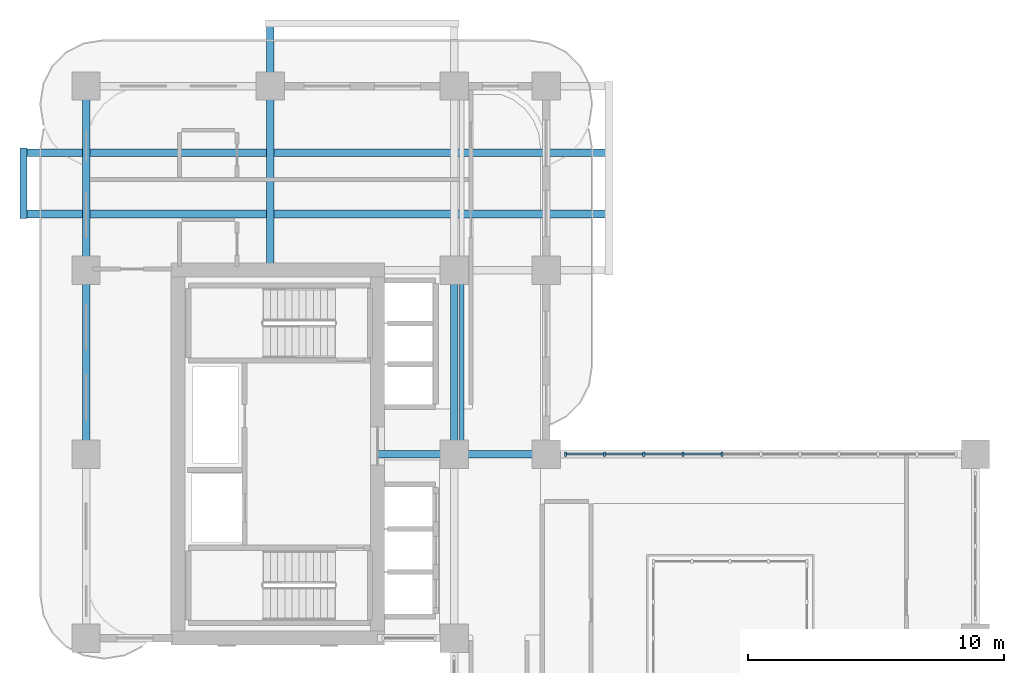
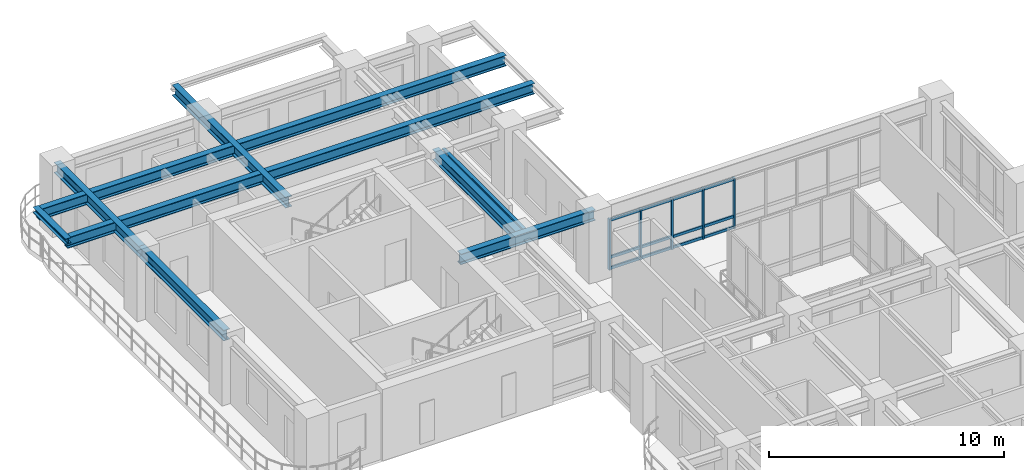
# One storey, part 6 of 22: 17 members, 9 beams, 1 element without a shape of its own.
"""IFC4 building model written with IfcOpenShell, lengths in metres."""

from ifc_helpers import new_model, si_unit, derived_unit, direction, frame, origin, origin_2d, place, context, subcontext, project, spatial, rectangle, i_section, extrude, source, transform, mapped, material, layer, layer_set, material_profile, profile_set, type_object, type_shapes, element, aggregate, save


model = new_model("IFC4")

# Units and contexts
model_context = context("Model", 3, precision=1e-05, world=origin(), true_north=direction((0.0, 1.0)))
body_context = subcontext(model_context, "Body", "Model", "MODEL_VIEW")
ifc_project = project(units=[si_unit("LENGTHUNIT", "METRE"), si_unit("AREAUNIT", "SQUARE_METRE"), si_unit("VOLUMEUNIT", "CUBIC_METRE"), si_unit("PLANEANGLEUNIT", "RADIAN"), si_unit("MASSUNIT", "GRAM", prefix="KILO"), si_unit("THERMODYNAMICTEMPERATUREUNIT", "KELVIN"), si_unit("POWERUNIT", "WATT"), derived_unit("THERMALTRANSMITTANCEUNIT", [(si_unit("POWERUNIT", "WATT"), 1), (si_unit("AREAUNIT", "SQUARE_METRE"), -1), (si_unit("THERMODYNAMICTEMPERATUREUNIT", "KELVIN"), -1)])], contexts=[model_context])

# Site, building, storey
site_placement = place(None, origin())
site = spatial("IfcSite", under=ifc_project, at=site_placement, CompositionType="ELEMENT")
building_placement = place(site_placement, origin())
building = spatial("IfcBuilding", under=site, at=building_placement, Name="Zahravan Archway Hotel and Residences", CompositionType="ELEMENT")
storey_placement = place(building_placement, frame((0.0, 0.0, 87.89990234375)))
storey = spatial("IfcBuildingStorey", under=building, at=storey_placement, Name="L21", CompositionType="ELEMENT", Elevation=87.89990234375)

# Beams
ifc_material_1 = material(Name="Structural Steel S355JR", Category="steel")
ifc_material_profile_1 = material_profile(ifc_material_1, i_section(OverallWidth=0.280029296875, OverallDepth=0.280029296875, WebThickness=0.010498046875, FlangeThickness=0.01806640625, FilletRadius=0.02392578125, at=origin_2d()), Name="HEB 280", Category="steel")
ifc_profile_set_1 = profile_set([ifc_material_profile_1], Name="Structural Steel S355JR")
beam_type_1 = type_object("IfcBeamType", Name="BM-SPN-HEB280", PredefinedType="SPANDREL", material=ifc_profile_set_1)
shared_shape_1 = source(origin(), body_context, "Body", "SweptSolid", [
    extrude(i_section(OverallWidth=0.280029296875, OverallDepth=0.280029296875, WebThickness=0.010498046875, FlangeThickness=0.01806640625, FilletRadius=0.02392578125, at=origin_2d()), origin(), (0.0, 0.0, 1.0), 2.759765625),
])
beam_1_placement = place(storey_placement, frame((-2.449951171875, 41.6201171875, 3.31005859375), z_axis=(0.0, 1.0, 0.0), x_axis=(-1.0, 0.0, 0.0)))
element("IfcBeam", 1, at=beam_1_placement, inside=storey, type_object=beam_type_1, Name="L22 WB Balcony Edge Spandrel", PredefinedType="SPANDREL", context=body_context, shape_type="MappedRepresentation", body=[
    mapped(shared_shape_1, transform((0.0, 0.0, 0.0), scale=1.0)),
])
ifc_material_profile_2 = material_profile(ifc_material_1, i_section(OverallWidth=0.300048828125, OverallDepth=0.550048828125, WebThickness=0.014892578125, FlangeThickness=0.029052734375, FilletRadius=0.027099609375, at=origin_2d()), Name="HEB 550", Category="steel")
ifc_profile_set_2 = profile_set([ifc_material_profile_2], Name="Structural Steel S355JR")
beam_type_2 = type_object("IfcBeamType", Name="BM-PRI-HEB550", PredefinedType="BEAM", material=ifc_profile_set_2)
shared_shape_2 = source(origin(), body_context, "Body", "SweptSolid", [
    extrude(i_section(OverallWidth=0.300048828125, OverallDepth=0.550048828125, WebThickness=0.014892578125, FlangeThickness=0.029052734375, FilletRadius=0.027099609375, at=origin_2d()), origin(), (0.0, 0.0, 1.0), 7.2001953125),
])
type_shapes(beam_type_2, [shared_shape_2])
for number, where, z_axis, x_axis, name in (
    (2, (0.0, 32.39990234375, 3.175048828125), (0.0, 1.0, 0.0), (-1.0, 0.0, 0.0), "L21 Primary Girder NS-29"),
    (3, (14.39990234375, 32.39990234375, 3.175048828125), (0.0, 1.0, 0.0), (-1.0, 0.0, 0.0), "L21 Primary Girder NS-37"),
):
    element("IfcBeam", number, at=place(storey_placement, frame(where, z_axis=z_axis, x_axis=x_axis)), inside=storey, type_object=beam_type_2, Name=name, PredefinedType="BEAM", context=body_context, shape_type="MappedRepresentation", body=[
        mapped(shared_shape_2, transform((0.0, 0.0, 0.0), scale=1.0)),
    ])
shared_shape_3 = source(origin(), body_context, "Body", "SweptSolid", [
    extrude(i_section(OverallWidth=0.300048828125, OverallDepth=0.550048828125, WebThickness=0.014892578125, FlangeThickness=0.029052734375, FilletRadius=0.027099609375, at=origin_2d()), origin(), (0.0, 0.0, 1.0), 7.199951171875),
])
beam_2_placement = place(storey_placement, frame((0.0, 39.60009765625, 3.175048828125), z_axis=(0.0, 1.0, 0.0), x_axis=(-1.0, 0.0, 0.0)))
element("IfcBeam", 4, at=beam_2_placement, inside=storey, type_object=beam_type_2, Name="L21 Primary Girder NS-30", PredefinedType="BEAM", context=body_context, shape_type="MappedRepresentation", body=[
    mapped(shared_shape_3, transform((0.0, 0.0, 0.0), scale=1.0)),
])
shared_shape_4 = source(origin(), body_context, "Body", "SweptSolid", [
    extrude(i_section(OverallWidth=0.300048828125, OverallDepth=0.550048828125, WebThickness=0.014892578125, FlangeThickness=0.029052734375, FilletRadius=0.027099609375, at=origin_2d()), origin(), (0.0, 0.0, 1.0), 6.60009765625),
])
beam_3_placement = place(storey_placement, frame((11.39990234375, 32.39990234375, 3.175048828125), z_axis=(1.0, 0.0, 0.0), x_axis=(0.0, 1.0, 0.0)))
element("IfcBeam", 5, at=beam_3_placement, inside=storey, type_object=beam_type_2, Name="L21 Primary Girder EW-21", PredefinedType="BEAM", context=body_context, shape_type="MappedRepresentation", body=[
    mapped(shared_shape_4, transform((0.0, 0.0, 0.0), scale=1.0)),
])
shared_shape_5 = source(origin(), body_context, "Body", "SweptSolid", [
    extrude(i_section(OverallWidth=0.300048828125, OverallDepth=0.550048828125, WebThickness=0.014892578125, FlangeThickness=0.029052734375, FilletRadius=0.027099609375, at=origin_2d()), origin(), (0.0, 0.0, 1.0), 22.89990234375),
])
for number, where, z_axis, x_axis, name in (
    (6, (-2.449951171875, 41.800048828125, 3.175048828125), (1.0, 0.0, 0.0), (0.0, 1.0, 0.0), "L21 Primary Girder EW-26"),
    (7, (-2.449951171875, 44.199951171875, 3.175048828125), (1.0, 0.0, 0.0), (0.0, 1.0, 0.0), "L21 Primary Girder EW-27"),
):
    element("IfcBeam", number, at=place(storey_placement, frame(where, z_axis=z_axis, x_axis=x_axis)), inside=storey, type_object=beam_type_2, Name=name, PredefinedType="BEAM", context=body_context, shape_type="MappedRepresentation", body=[
        mapped(shared_shape_5, transform((0.0, 0.0, 0.0), scale=1.0)),
    ])
shared_shape_6 = source(origin(), body_context, "Body", "SweptSolid", [
    extrude(i_section(OverallWidth=0.300048828125, OverallDepth=0.550048828125, WebThickness=0.014892578125, FlangeThickness=0.029052734375, FilletRadius=0.027099609375, at=origin_2d()), origin(), (0.0, 0.0, 1.0), 9.64990234375),
])
beam_4_placement = place(storey_placement, frame((7.199951171875, 39.60009765625, 3.175048828125), z_axis=(0.0, 1.0, 0.0), x_axis=(-1.0, 0.0, 0.0)))
element("IfcBeam", 8, at=beam_4_placement, inside=storey, type_object=beam_type_2, Name="L21 Primary Girder NS-31", PredefinedType="BEAM", context=body_context, shape_type="MappedRepresentation", body=[
    mapped(shared_shape_6, transform((0.0, 0.0, 0.0), scale=1.0)),
])
ifc_material_profile_3 = material_profile(ifc_material_1, i_section(OverallWidth=0.169921875, OverallDepth=0.360107421875, WebThickness=0.008056640625, FlangeThickness=0.0126953125, FilletRadius=0.01806640625, at=origin_2d()), Name="IPE 360", Category="steel")
ifc_profile_set_3 = profile_set([ifc_material_profile_3], Name="Structural Steel S355JR")
beam_type_3 = type_object("IfcBeamType", Name="BM-JST-IPE360", PredefinedType="JOIST", material=ifc_profile_set_3)
shared_shape_7 = source(origin(), body_context, "Body", "SweptSolid", [
    extrude(i_section(OverallWidth=0.169921875, OverallDepth=0.360107421875, WebThickness=0.008056640625, FlangeThickness=0.0126953125, FilletRadius=0.01806640625, at=origin_2d()), origin(), (0.0, 0.0, 1.0), 6.90380859375),
])
beam_5_placement = place(storey_placement, frame((14.699951171875, 32.548095703125, 3.27001953125), z_axis=(0.0, 1.0, 0.0), x_axis=(-1.0, 0.0, 0.0)))
element("IfcBeam", 9, at=beam_5_placement, inside=storey, type_object=beam_type_3, Name="L21 Composite Floor Joist 13", PredefinedType="JOIST", context=body_context, shape_type="MappedRepresentation", body=[
    mapped(shared_shape_7, transform((0.0, 0.0, 0.0), scale=1.0)),
])

# Curtain wall, members
ifc_material_2 = material(Name="Bronze-Anodized Unitised Aluminium & Low-E Glass", Category="aluminium")
ifc_layer = layer(ifc_material_2, 0.179931640625, Name="Bronze-Anodized Unitised Aluminium & Low-E Glass", Category="aluminium")
ifc_layer_set = layer_set([ifc_layer], Name="Bronze-Anodized Unitised Aluminium & Low-E Glass")
curtain_wall_type = type_object("IfcCurtainWallType", Name="CW-ATR-GLAZ", PredefinedType="NOTDEFINED", material=ifc_layer_set)
curtain_wall_placement = place(storey_placement, origin())
curtain_wall = element("IfcCurtainWall", 10, at=curtain_wall_placement, inside=storey, type_object=curtain_wall_type, Name="L21 Curtain Wall CW-L21-HNG-N-1", PredefinedType="NOTDEFINED")
ifc_material_3 = material(Name="Bronze-Anodized Extruded Aluminium", Category="aluminium")
ifc_material_profile_4 = material_profile(ifc_material_3, rectangle(XDim=0.080078125, YDim=0.159912109375, at=origin_2d()), Name="MUL 80x160", Category="aluminium")
ifc_profile_set_4 = profile_set([ifc_material_profile_4], Name="Bronze-Anodized Extruded Aluminium")
member_type_1 = type_object("IfcMemberType", Name="CWM-MUL-160", PredefinedType="MULLION", material=ifc_profile_set_4)
shared_shape_8 = source(origin(), body_context, "Body", "SweptSolid", [
    extrude(rectangle(XDim=0.080078125, YDim=0.159912109375, at=origin_2d()), origin(), (0.0, 0.0, 1.0), 2.635009765625),
])
member_1_placement = place(storey_placement, frame((18.760009765625, 32.39990234375, 0.0), z_axis=(0.0, 0.0, 1.0), x_axis=(1.0, 0.0, 0.0)))
member_1 = element("IfcMember", 11, at=member_1_placement, type_object=member_type_1, Name="CW-L21-HNG-N-1 Mullion 0", PredefinedType="MULLION", context=body_context, shape_type="MappedRepresentation", body=[
    mapped(shared_shape_8, transform((0.0, 0.0, 0.0), scale=1.0)),
])
member_2_placement = place(storey_placement, frame((20.2880859375, 32.39990234375, 0.0), z_axis=(0.0, 0.0, 1.0), x_axis=(1.0, 0.0, 0.0)))
member_2 = element("IfcMember", 12, at=member_2_placement, type_object=member_type_1, Name="CW-L21-HNG-N-1 Mullion 1", PredefinedType="MULLION", context=body_context, shape_type="MappedRepresentation", body=[
    mapped(shared_shape_8, transform((0.0, 0.0, 0.0), scale=1.0)),
])
member_3_placement = place(storey_placement, frame((21.81591796875, 32.39990234375, 0.0), z_axis=(0.0, 0.0, 1.0), x_axis=(1.0, 0.0, 0.0)))
member_3 = element("IfcMember", 13, at=member_3_placement, type_object=member_type_1, Name="CW-L21-HNG-N-1 Mullion 2", PredefinedType="MULLION", context=body_context, shape_type="MappedRepresentation", body=[
    mapped(shared_shape_8, transform((0.0, 0.0, 0.0), scale=1.0)),
])
member_4_placement = place(storey_placement, frame((23.343994140625, 32.39990234375, 0.0), z_axis=(0.0, 0.0, 1.0), x_axis=(1.0, 0.0, 0.0)))
member_4 = element("IfcMember", 14, at=member_4_placement, type_object=member_type_1, Name="CW-L21-HNG-N-1 Mullion 3", PredefinedType="MULLION", context=body_context, shape_type="MappedRepresentation", body=[
    mapped(shared_shape_8, transform((0.0, 0.0, 0.0), scale=1.0)),
])
member_5_placement = place(storey_placement, frame((24.8720703125, 32.39990234375, 0.0), z_axis=(0.0, 0.0, 1.0), x_axis=(1.0, 0.0, 0.0)))
member_5 = element("IfcMember", 15, at=member_5_placement, type_object=member_type_1, Name="CW-L21-HNG-N-1 Mullion 4", PredefinedType="MULLION", context=body_context, shape_type="MappedRepresentation", body=[
    mapped(shared_shape_8, transform((0.0, 0.0, 0.0), scale=1.0)),
])
ifc_material_profile_5 = material_profile(ifc_material_3, rectangle(XDim=0.080078125, YDim=0.139892578125, at=origin_2d()), Name="TRN 80x140", Category="aluminium")
ifc_profile_set_5 = profile_set([ifc_material_profile_5], Name="Bronze-Anodized Extruded Aluminium")
member_type_2 = type_object("IfcMemberType", Name="CWM-TRN-140", PredefinedType="USERDEFINED", material=ifc_profile_set_5)
shared_shape_9 = source(origin(), body_context, "Body", "SweptSolid", [
    extrude(rectangle(XDim=0.080078125, YDim=0.139892578125, at=origin_2d()), origin(), (0.0, 0.0, 1.0), 1.447998046875),
])
member_6_placement = place(storey_placement, frame((18.800048828125, 32.39990234375, 0.070068359375), z_axis=(1.0, 0.0, 0.0), x_axis=(0.0, 1.0, 0.0)))
member_6 = element("IfcMember", 16, at=member_6_placement, type_object=member_type_2, Name="CW-L21-HNG-N-1 Transom 0-1", ObjectType="TRANSOM", PredefinedType="USERDEFINED", context=body_context, shape_type="MappedRepresentation", body=[
    mapped(shared_shape_9, transform((0.0, 0.0, 0.0), scale=1.0)),
])
member_7_placement = place(storey_placement, frame((18.800048828125, 32.39990234375, 0.632568359375), z_axis=(1.0, 0.0, 0.0), x_axis=(0.0, 1.0, 0.0)))
member_7 = element("IfcMember", 17, at=member_7_placement, type_object=member_type_2, Name="CW-L21-HNG-N-1 Transom 0-2", ObjectType="TRANSOM", PredefinedType="USERDEFINED", context=body_context, shape_type="MappedRepresentation", body=[
    mapped(shared_shape_9, transform((0.0, 0.0, 0.0), scale=1.0)),
])
member_8_placement = place(storey_placement, frame((18.800048828125, 32.39990234375, 2.565185546875), z_axis=(1.0, 0.0, 0.0), x_axis=(0.0, 1.0, 0.0)))
member_8 = element("IfcMember", 18, at=member_8_placement, type_object=member_type_2, Name="CW-L21-HNG-N-1 Transom 0-3", ObjectType="TRANSOM", PredefinedType="USERDEFINED", context=body_context, shape_type="MappedRepresentation", body=[
    mapped(shared_shape_9, transform((0.0, 0.0, 0.0), scale=1.0)),
])
member_9_placement = place(storey_placement, frame((20.327880859375, 32.39990234375, 0.070068359375), z_axis=(1.0, 0.0, 0.0), x_axis=(0.0, 1.0, 0.0)))
member_9 = element("IfcMember", 19, at=member_9_placement, type_object=member_type_2, Name="CW-L21-HNG-N-1 Transom 1-1", ObjectType="TRANSOM", PredefinedType="USERDEFINED", context=body_context, shape_type="MappedRepresentation", body=[
    mapped(shared_shape_9, transform((0.0, 0.0, 0.0), scale=1.0)),
])
member_10_placement = place(storey_placement, frame((20.327880859375, 32.39990234375, 0.632568359375), z_axis=(1.0, 0.0, 0.0), x_axis=(0.0, 1.0, 0.0)))
member_10 = element("IfcMember", 20, at=member_10_placement, type_object=member_type_2, Name="CW-L21-HNG-N-1 Transom 1-2", ObjectType="TRANSOM", PredefinedType="USERDEFINED", context=body_context, shape_type="MappedRepresentation", body=[
    mapped(shared_shape_9, transform((0.0, 0.0, 0.0), scale=1.0)),
])
member_11_placement = place(storey_placement, frame((20.327880859375, 32.39990234375, 2.565185546875), z_axis=(1.0, 0.0, 0.0), x_axis=(0.0, 1.0, 0.0)))
member_11 = element("IfcMember", 21, at=member_11_placement, type_object=member_type_2, Name="CW-L21-HNG-N-1 Transom 1-3", ObjectType="TRANSOM", PredefinedType="USERDEFINED", context=body_context, shape_type="MappedRepresentation", body=[
    mapped(shared_shape_9, transform((0.0, 0.0, 0.0), scale=1.0)),
])
member_12_placement = place(storey_placement, frame((21.85595703125, 32.39990234375, 0.070068359375), z_axis=(1.0, 0.0, 0.0), x_axis=(0.0, 1.0, 0.0)))
member_12 = element("IfcMember", 22, at=member_12_placement, type_object=member_type_2, Name="CW-L21-HNG-N-1 Transom 2-1", ObjectType="TRANSOM", PredefinedType="USERDEFINED", context=body_context, shape_type="MappedRepresentation", body=[
    mapped(shared_shape_9, transform((0.0, 0.0, 0.0), scale=1.0)),
])
member_13_placement = place(storey_placement, frame((21.85595703125, 32.39990234375, 0.632568359375), z_axis=(1.0, 0.0, 0.0), x_axis=(0.0, 1.0, 0.0)))
member_13 = element("IfcMember", 23, at=member_13_placement, type_object=member_type_2, Name="CW-L21-HNG-N-1 Transom 2-2", ObjectType="TRANSOM", PredefinedType="USERDEFINED", context=body_context, shape_type="MappedRepresentation", body=[
    mapped(shared_shape_9, transform((0.0, 0.0, 0.0), scale=1.0)),
])
member_14_placement = place(storey_placement, frame((21.85595703125, 32.39990234375, 2.565185546875), z_axis=(1.0, 0.0, 0.0), x_axis=(0.0, 1.0, 0.0)))
member_14 = element("IfcMember", 24, at=member_14_placement, type_object=member_type_2, Name="CW-L21-HNG-N-1 Transom 2-3", ObjectType="TRANSOM", PredefinedType="USERDEFINED", context=body_context, shape_type="MappedRepresentation", body=[
    mapped(shared_shape_9, transform((0.0, 0.0, 0.0), scale=1.0)),
])
member_15_placement = place(storey_placement, frame((23.384033203125, 32.39990234375, 0.070068359375), z_axis=(1.0, 0.0, 0.0), x_axis=(0.0, 1.0, 0.0)))
member_15 = element("IfcMember", 25, at=member_15_placement, type_object=member_type_2, Name="CW-L21-HNG-N-1 Transom 3-1", ObjectType="TRANSOM", PredefinedType="USERDEFINED", context=body_context, shape_type="MappedRepresentation", body=[
    mapped(shared_shape_9, transform((0.0, 0.0, 0.0), scale=1.0)),
])
member_16_placement = place(storey_placement, frame((23.384033203125, 32.39990234375, 0.632568359375), z_axis=(1.0, 0.0, 0.0), x_axis=(0.0, 1.0, 0.0)))
member_16 = element("IfcMember", 26, at=member_16_placement, type_object=member_type_2, Name="CW-L21-HNG-N-1 Transom 3-2", ObjectType="TRANSOM", PredefinedType="USERDEFINED", context=body_context, shape_type="MappedRepresentation", body=[
    mapped(shared_shape_9, transform((0.0, 0.0, 0.0), scale=1.0)),
])
member_17_placement = place(storey_placement, frame((23.384033203125, 32.39990234375, 2.565185546875), z_axis=(1.0, 0.0, 0.0), x_axis=(0.0, 1.0, 0.0)))
member_17 = element("IfcMember", 27, at=member_17_placement, type_object=member_type_2, Name="CW-L21-HNG-N-1 Transom 3-3", ObjectType="TRANSOM", PredefinedType="USERDEFINED", context=body_context, shape_type="MappedRepresentation", body=[
    mapped(shared_shape_9, transform((0.0, 0.0, 0.0), scale=1.0)),
])
aggregate(curtain_wall, [member_1, member_2, member_3, member_4, member_5, member_6, member_7, member_8, member_9, member_10, member_11, member_12, member_13, member_14, member_15, member_16, member_17])

save(model, "model.ifc")
